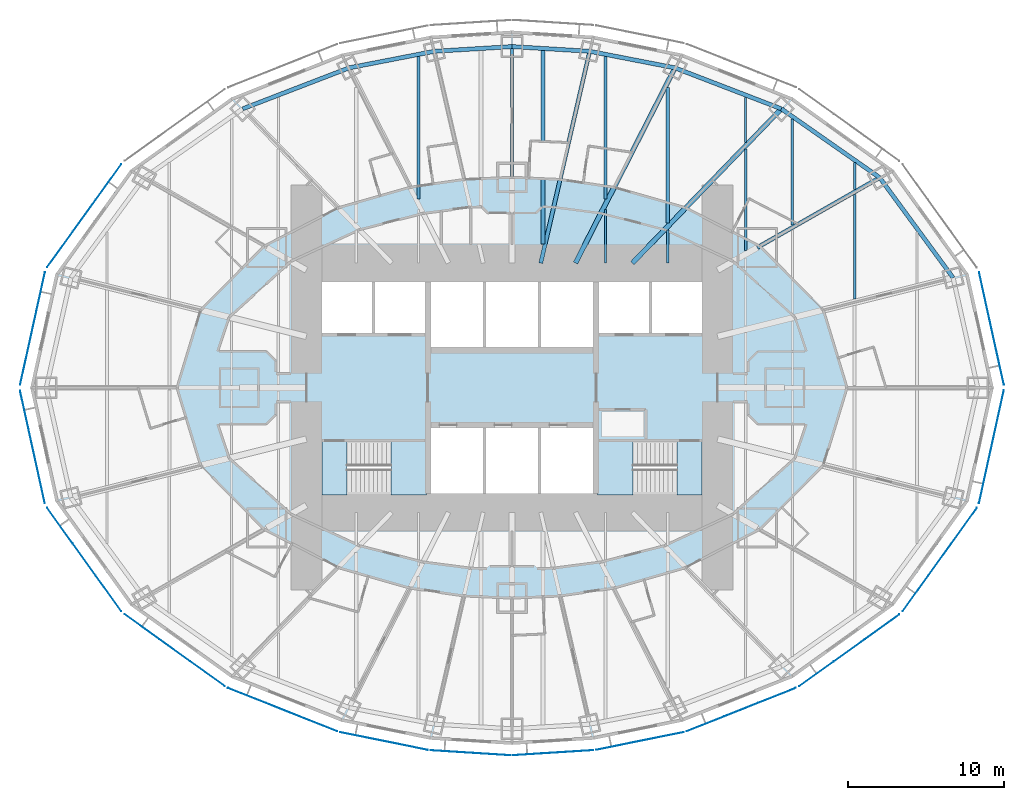
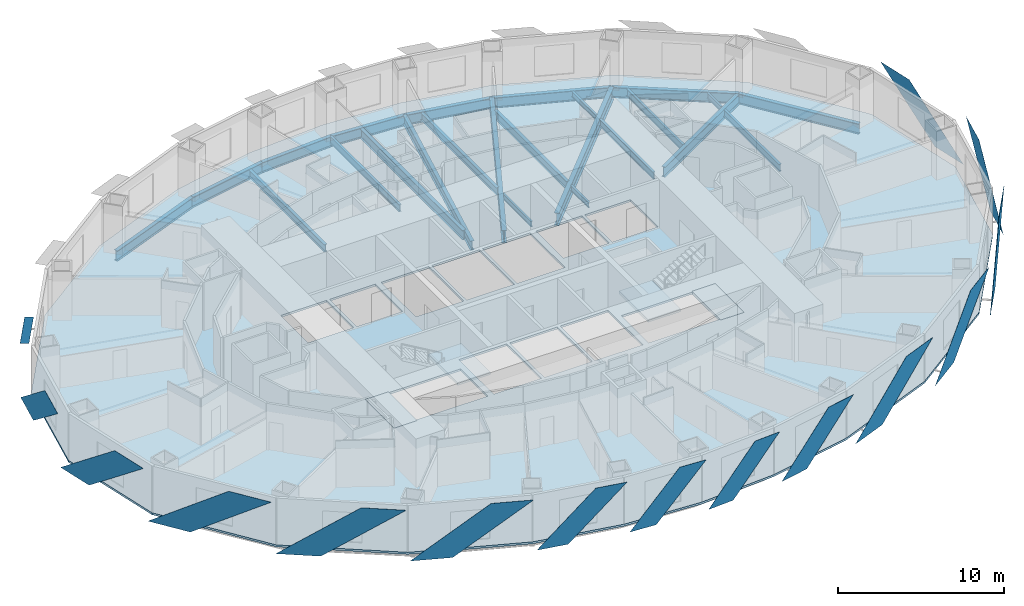
# One storey, part 3 of 15: 24 beams, 15 plates, 5 slabs, 2 elements without a shape of their own.
"""IFC4 building model written with IfcOpenShell, lengths in metres."""

import ifcopenshell
import ifcopenshell.guid

model = None  # the IFC model being written
_history = None  # IfcOwnerHistory: only IFC2X3 demands one
_inside = {}  # id of a spatial element -> (the spatial element, [elements in it])
_under = {}  # id of a project, library or spatial element -> (it, [spatial elements below it])
_declared = {}  # id of a project -> (the project, [libraries it declares])
_typed = {}  # id of a type object -> (the type object, [elements of that type])
_made_of = {}  # id of a material, layer set ... -> (it, [elements and type objects made of it])


def new_model(schema):
    """Start an empty IFC model of exactly this schema.

    Asked for "IFC4X3", IfcOpenShell would pick the latest addendum, in which some entities
    have other attributes; the version numbers below select the first issue.
    IFC2X3 requires an IfcOwnerHistory on every rooted entity: one is made here for all.
    """
    global model, _history
    if schema == "IFC4X3":
        model = ifcopenshell.file(schema_version=(4, 3, 0, 0))
    else:
        model = ifcopenshell.file(schema=schema)
    _inside.clear()
    _under.clear()
    _declared.clear()
    _typed.clear()
    _made_of.clear()
    _history = None
    if model.schema == "IFC2X3":
        org = make("IfcOrganization", Name="unknown")
        user = make(
            "IfcPersonAndOrganization",
            ThePerson=make("IfcPerson", FamilyName="unknown"),
            TheOrganization=org,
        )
        app = make(
            "IfcApplication",
            ApplicationDeveloper=org,
            Version="unknown",
            ApplicationFullName="unknown",
            ApplicationIdentifier="unknown",
        )
        _history = make(
            "IfcOwnerHistory",
            OwningUser=user,
            OwningApplication=app,
            ChangeAction="ADDED",
            CreationDate=0,
        )
    return model


def make(cls, **values):
    """One entity of the class cls with the attributes given. An attribute that is None is left unset."""
    return model.create_entity(
        cls, **{name: value for name, value in values.items() if value is not None}
    )


def rooted(cls, **values):
    """An entity with a GlobalId (a new one), such as an element, a storey or a relation."""
    return make(cls, GlobalId=ifcopenshell.guid.new(), OwnerHistory=_history, **values)


def si_unit(unit_type, name, prefix=None):
    """IfcSIUnit, for example si_unit("LENGTHUNIT", "METRE", prefix="MILLI")."""
    return make("IfcSIUnit", UnitType=unit_type, Prefix=prefix, Name=name)


def assignment(units):
    """IfcUnitAssignment: the units of a project."""
    return None if units is None else make("IfcUnitAssignment", Units=units)


def point(xyz):
    """IfcCartesianPoint."""
    return None if xyz is None else make("IfcCartesianPoint", Coordinates=xyz)


def direction(xyz):
    """IfcDirection."""
    return None if xyz is None else make("IfcDirection", DirectionRatios=xyz)


def frame(location, z_axis=None, x_axis=None):
    """IfcAxis2Placement3D, a coordinate frame: its origin and axes. An axis left out is left unset."""
    return make(
        "IfcAxis2Placement3D",
        Location=point(location),
        Axis=direction(z_axis),
        RefDirection=direction(x_axis),
    )


def frame_2d(location, x_axis=None):
    """IfcAxis2Placement2D, a coordinate frame in the plane: its origin and x axis."""
    return make(
        "IfcAxis2Placement2D", Location=point(location), RefDirection=direction(x_axis)
    )


def origin():
    """The frame at (0, 0, 0) with its axes left unset."""
    return frame((0.0, 0.0, 0.0))


def origin_2d():
    """The frame at (0, 0) in the plane with its x axis left unset."""
    return frame_2d((0.0, 0.0))


def place(relative_to, where):
    """IfcLocalPlacement: puts the frame where relative to a parent placement (None: the world)."""
    return make(
        "IfcLocalPlacement", PlacementRelTo=relative_to, RelativePlacement=where
    )


def context(
    kind, dimensions, precision=None, world=None, true_north=None, identifier=None
):
    """IfcGeometricRepresentationContext, for example the 3D "Model" context."""
    return make(
        "IfcGeometricRepresentationContext",
        ContextIdentifier=identifier,
        ContextType=kind,
        CoordinateSpaceDimension=dimensions,
        Precision=precision,
        WorldCoordinateSystem=world,
        TrueNorth=true_north,
    )


def subcontext(parent, identifier, kind, view, scale=None):
    """IfcGeometricRepresentationSubContext, for example "Body" below "Model"."""
    return make(
        "IfcGeometricRepresentationSubContext",
        ContextIdentifier=identifier,
        ContextType=kind,
        ParentContext=parent,
        TargetScale=scale,
        TargetView=view,
    )


def project(units=None, contexts=None):
    """IfcProject with its units and contexts."""
    return rooted(
        "IfcProject",
        Name="project",
        RepresentationContexts=contexts,
        UnitsInContext=assignment(units),
    )


def spatial(cls, under=None, at=None, **own):
    """A site, building, storey or space (cls), placed at a placement, below another one or the project."""
    s = rooted(cls, ObjectPlacement=at, **own)
    if under is not None:
        _under.setdefault(under.id(), (under, []))[1].append(s)
    return s


def polyline(points):
    """IfcPolyline through the points."""
    return make("IfcPolyline", Points=[point(p) for p in points])


def profile(cls, at=None, kind="AREA", **sizes):
    """A parametric profile (cls). Its sizes go by their IFC names, for example OverallWidth=200.0."""
    return make(cls, ProfileType=kind, Position=at, **sizes)


def i_section(**sizes):
    """IfcIShapeProfileDef."""
    return profile("IfcIShapeProfileDef", **sizes)


def outline(outer, holes=None, kind="AREA"):
    """IfcArbitraryClosedProfileDef: a profile drawn as a closed curve; with holes, ...WithVoids."""
    if holes is None:
        return make("IfcArbitraryClosedProfileDef", ProfileType=kind, OuterCurve=outer)
    return make(
        "IfcArbitraryProfileDefWithVoids",
        ProfileType=kind,
        OuterCurve=outer,
        InnerCurves=holes,
    )


def extrude(swept, where, along, depth):
    """IfcExtrudedAreaSolid: the profile swept, set in the frame where, extruded along a direction by depth."""
    return make(
        "IfcExtrudedAreaSolid",
        SweptArea=swept,
        Position=where,
        ExtrudedDirection=direction(along),
        Depth=depth,
    )


def shape(context_of_items, identifier, shape_type, items):
    """IfcShapeRepresentation: the items that make up one representation, for example the "Body"."""
    return make(
        "IfcShapeRepresentation",
        ContextOfItems=context_of_items,
        RepresentationIdentifier=identifier,
        RepresentationType=shape_type,
        Items=items,
    )


def material(Name=None, Category=None):
    """IfcMaterial."""
    return make("IfcMaterial", Name=Name, Category=Category)


def layer(
    of_material, thickness, ventilated=None, Name=None, Category=None, Priority=None
):
    """IfcMaterialLayer: one layer of a wall or slab, of a material (None: an air gap)."""
    return make(
        "IfcMaterialLayer",
        Material=of_material,
        LayerThickness=thickness,
        IsVentilated=ventilated,
        Name=Name,
        Category=Category,
        Priority=Priority,
    )


def layer_set(layers, Name=None):
    """IfcMaterialLayerSet."""
    return make("IfcMaterialLayerSet", MaterialLayers=layers, LayerSetName=Name)


def material_profile(
    of_material, cross_section, Name=None, Category=None, Priority=None
):
    """IfcMaterialProfile: a cross section and its material."""
    return make(
        "IfcMaterialProfile",
        Name=Name,
        Material=of_material,
        Profile=cross_section,
        Priority=Priority,
        Category=Category,
    )


def profile_set(profiles, Name=None, composite=None):
    """IfcMaterialProfileSet."""
    return make(
        "IfcMaterialProfileSet",
        Name=Name,
        MaterialProfiles=profiles,
        CompositeProfile=composite,
    )


def made_of(thing, what):
    """Note that an element or type object is made of a material, layer set ...; save() writes the relation."""
    if what is not None:
        _made_of.setdefault(what.id(), (what, []))[1].append(thing)
    return thing


def type_object(cls, material=None, **own):
    """A type object (cls), such as IfcWallType, which elements share."""
    return made_of(rooted(cls, **own), material)


def element(
    cls,
    number,
    at=None,
    inside=None,
    cuts=None,
    type_object=None,
    material=None,
    context=None,
    identifier="Body",
    shape_type=None,
    held_by="IfcProductDefinitionShape",
    body=None,
    shapes=None,
    **own,
):
    """One element of the class cls, such as IfcWall. Its Tag is "e" and its number.

    at: its placement. inside: the storey or other place that contains it. cuts: it is an
    opening in that element (IfcRelVoidsElement). A single representation is given by context,
    identifier, shape_type and body (its items); several are given by shapes. held_by: the class
    of the entity that holds the representations. save() writes the other relations.
    """
    e = rooted(cls, Tag="e%d" % number, ObjectPlacement=at, **own)
    if body is not None:
        shapes = [shape(context, identifier, shape_type, body)]
    if shapes is not None:
        e.Representation = make(held_by, Representations=shapes)
    if inside is not None:
        _inside.setdefault(inside.id(), (inside, []))[1].append(e)
    if cuts is not None:
        rooted(
            "IfcRelVoidsElement", RelatingBuildingElement=cuts, RelatedOpeningElement=e
        )
    if type_object is not None:
        _typed.setdefault(type_object.id(), (type_object, []))[1].append(e)
    return made_of(e, material)


def aggregate(whole, parts):
    """IfcRelAggregates: a whole, such as a stair, and the parts it consists of."""
    return rooted("IfcRelAggregates", RelatingObject=whole, RelatedObjects=parts)


def save(model, path):
    """Write the relations noted so far, then the file.

    IfcRelAggregates (storeys below a building ...), IfcRelContainedInSpatialStructure (elements
    in a storey), IfcRelDefinesByType, IfcRelAssociatesMaterial and IfcRelDeclares: one each for
    every whole, place, type object, material and project.
    """
    for whole, parts in _under.values():
        aggregate(whole, parts)
    for where, things in _inside.values():
        rooted(
            "IfcRelContainedInSpatialStructure",
            RelatedElements=things,
            RelatingStructure=where,
        )
    for kind, things in _typed.values():
        rooted("IfcRelDefinesByType", RelatedObjects=things, RelatingType=kind)
    for what, things in _made_of.values():
        rooted("IfcRelAssociatesMaterial", RelatedObjects=things, RelatingMaterial=what)
    for by, libraries in _declared.values():
        rooted("IfcRelDeclares", RelatingContext=by, RelatedDefinitions=libraries)
    model.write(path)


model = new_model("IFC4")

# Units and contexts
model_context = context("Model", 3, precision=1e-05, world=origin(), true_north=direction((0.0, 1.0)))
body_context = subcontext(model_context, "Body", "Model", "MODEL_VIEW")
ifc_project = project(units=[si_unit("LENGTHUNIT", "METRE"), si_unit("AREAUNIT", "SQUARE_METRE"), si_unit("VOLUMEUNIT", "CUBIC_METRE"), si_unit("PLANEANGLEUNIT", "RADIAN"), si_unit("MASSUNIT", "GRAM", prefix="KILO")], contexts=[model_context])

# Site, building, storey
site_placement = place(None, origin())
site = spatial("IfcSite", under=ifc_project, at=site_placement, CompositionType="ELEMENT")
building_placement = place(site_placement, origin())
building = spatial("IfcBuilding", under=site, at=building_placement, Name="Lantaw Convention Tower", CompositionType="ELEMENT")
storey_placement = place(building_placement, frame((0.0, 0.0, 47.800048828125)))
storey = spatial("IfcBuildingStorey", under=building, at=storey_placement, Name="L09", CompositionType="ELEMENT", Elevation=47.800048828125)

# Beams
ifc_material_1 = material(Name="Steel ASTM A992", Category="steel")
ifc_material_profile_1 = material_profile(ifc_material_1, i_section(OverallWidth=0.2666015625, OverallDepth=0.76953125, WebThickness=0.015625, FlangeThickness=0.025390625, FilletRadius=0.0126953125, at=origin_2d()), Name="W30X132")
ifc_profile_set_1 = profile_set([ifc_material_profile_1], Name="Steel ASTM A992")
beam_type_1 = type_object("IfcBeamType", Name="Beam E W30X132", PredefinedType="SPANDREL", material=ifc_profile_set_1)
beam_1_placement = place(storey_placement, frame((28.31787109375, 7.060302734375, -0.534912109375), z_axis=(-0.591270709086, 0.806473154281, 0.0), x_axis=(-0.806473154281, -0.591270709086, 0.0)))
element("IfcBeam", 1, at=beam_1_placement, inside=storey, type_object=beam_type_1, Name="Edge beam 2", PredefinedType="SPANDREL", context=body_context, shape_type="SweptSolid", body=[
    extrude(i_section(OverallWidth=0.2666015625, OverallDepth=0.76953125, WebThickness=0.015625, FlangeThickness=0.025390625, FilletRadius=0.0126953125, at=origin_2d()), origin(), (0.0, 0.0, 1.0), 7.970703125),
])
beam_2_placement = place(storey_placement, frame((23.60498046875, 13.488525390625, -0.534912109375), z_axis=(-0.81942686407, 0.57318375277, 0.0), x_axis=(-0.57318375277, -0.81942686407, 0.0)))
element("IfcBeam", 2, at=beam_2_placement, inside=storey, type_object=beam_type_1, Name="Edge beam 3", PredefinedType="SPANDREL", context=body_context, shape_type="SweptSolid", body=[
    extrude(i_section(OverallWidth=0.2666015625, OverallDepth=0.76953125, WebThickness=0.015625, FlangeThickness=0.025390625, FilletRadius=0.0126953125, at=origin_2d()), origin(), (0.0, 0.0, 1.0), 7.70556640625),
])
beam_3_placement = place(storey_placement, frame((17.290771484375, 17.9052734375, -0.534912109375), z_axis=(-0.933232900641, 0.359271976588, 0.0), x_axis=(-0.359271976588, -0.933232900641, 0.0)))
element("IfcBeam", 3, at=beam_3_placement, inside=storey, type_object=beam_type_1, Name="Edge beam 4", PredefinedType="SPANDREL", context=body_context, shape_type="SweptSolid", body=[
    extrude(i_section(OverallWidth=0.2666015625, OverallDepth=0.76953125, WebThickness=0.015625, FlangeThickness=0.025390625, FilletRadius=0.0126953125, at=origin_2d()), origin(), (0.0, 0.0, 1.0), 7.316650390625),
])
beam_4_placement = place(storey_placement, frame((10.462646484375, 20.533935546875, -0.534912109375), z_axis=(-0.981636565323, 0.190760723474, 0.0), x_axis=(-0.190760723474, -0.981636565323, 0.0)))
element("IfcBeam", 4, at=beam_4_placement, inside=storey, type_object=beam_type_1, Name="Edge beam 5", PredefinedType="SPANDREL", context=body_context, shape_type="SweptSolid", body=[
    extrude(i_section(OverallWidth=0.2666015625, OverallDepth=0.76953125, WebThickness=0.015625, FlangeThickness=0.025390625, FilletRadius=0.0126953125, at=origin_2d()), origin(), (0.0, 0.0, 1.0), 5.578857421875),
])
for number, where, z_axis, x_axis, name in (
    (5, (4.986328125, 21.59814453125, -0.534912109375), (-0.998173858406, 0.060406526096, 0.0), (-0.060406526096, -0.998173858406, 0.0), "Edge beam 6"),
    (6, (0.0, 21.89990234375, -0.534912109375), (-0.998173858406, -0.060406526096, 0.0), (0.060406526096, -0.998173858406, 0.0), "Edge beam 7"),
):
    element("IfcBeam", number, at=place(storey_placement, frame(where, z_axis=z_axis, x_axis=x_axis)), inside=storey, type_object=beam_type_1, Name=name, PredefinedType="SPANDREL", context=body_context, shape_type="SweptSolid", body=[
        extrude(i_section(OverallWidth=0.2666015625, OverallDepth=0.76953125, WebThickness=0.015625, FlangeThickness=0.025390625, FilletRadius=0.0126953125, at=origin_2d()), origin(), (0.0, 0.0, 1.0), 4.995361328125),
    ])
beam_5_placement = place(storey_placement, frame((-4.986328125, 21.59814453125, -0.534912109375), z_axis=(-0.981636565323, -0.190760723474, 0.0), x_axis=(0.190760723474, -0.981636565323, 0.0)))
element("IfcBeam", 7, at=beam_5_placement, inside=storey, type_object=beam_type_1, Name="Edge beam 8", PredefinedType="SPANDREL", context=body_context, shape_type="SweptSolid", body=[
    extrude(i_section(OverallWidth=0.2666015625, OverallDepth=0.76953125, WebThickness=0.015625, FlangeThickness=0.025390625, FilletRadius=0.0126953125, at=origin_2d()), origin(), (0.0, 0.0, 1.0), 5.578857421875),
])
beam_6_placement = place(storey_placement, frame((-10.462646484375, 20.533935546875, -0.534912109375), z_axis=(-0.933232900641, -0.359271976588, 0.0), x_axis=(0.359271976588, -0.933232900641, 0.0)))
element("IfcBeam", 8, at=beam_6_placement, inside=storey, type_object=beam_type_1, Name="Edge beam 9", PredefinedType="SPANDREL", context=body_context, shape_type="SweptSolid", body=[
    extrude(i_section(OverallWidth=0.2666015625, OverallDepth=0.76953125, WebThickness=0.015625, FlangeThickness=0.025390625, FilletRadius=0.0126953125, at=origin_2d()), origin(), (0.0, 0.0, 1.0), 7.316650390625),
])
ifc_material_profile_2 = material_profile(ifc_material_1, i_section(OverallWidth=0.1650390625, OverallDepth=0.52587890625, WebThickness=0.0087890625, FlangeThickness=0.011474609375, FilletRadius=0.0126953125, at=origin_2d()), Name="W21X44")
ifc_profile_set_2 = profile_set([ifc_material_profile_2], Name="Steel ASTM A992")
beam_type_2 = type_object("IfcBeamType", Name="Beam G W21X44", PredefinedType="BEAM", material=ifc_profile_set_2)
beam_7_placement = place(storey_placement, frame((0.0, 13.5, -0.412841796875), z_axis=(0.0, 1.0, 0.0), x_axis=(-1.0, 0.0, 0.0)))
element("IfcBeam", 9, at=beam_7_placement, inside=storey, type_object=beam_type_2, Name="Floor girder on ray 7", PredefinedType="BEAM", context=body_context, shape_type="SweptSolid", body=[
    extrude(i_section(OverallWidth=0.1650390625, OverallDepth=0.52587890625, WebThickness=0.0087890625, FlangeThickness=0.011474609375, FilletRadius=0.0126953125, at=origin_2d()), origin(), (0.0, 0.0, 1.0), 8.39990234375),
])
ifc_material_profile_3 = material_profile(ifc_material_1, i_section(OverallWidth=0.25390625, OverallDepth=0.683349609375, WebThickness=0.012451171875, FlangeThickness=0.01904296875, FilletRadius=0.01513671875, at=origin_2d()), Name="W27X94")
ifc_profile_set_3 = profile_set([ifc_material_profile_3], Name="Steel ASTM A992")
beam_type_3 = type_object("IfcBeamType", Name="Beam G W27X94", PredefinedType="BEAM", material=ifc_profile_set_3)
beam_8_placement = place(storey_placement, frame((1.846923828125, 8.0, -0.49169921875), z_axis=(0.224952773175, 0.97436966796, 0.0), x_axis=(-0.97436966796, 0.224952773175, 0.0)))
element("IfcBeam", 10, at=beam_8_placement, inside=storey, type_object=beam_type_3, Name="Floor girder on ray 6", PredefinedType="BEAM", context=body_context, shape_type="SweptSolid", body=[
    extrude(i_section(OverallWidth=0.25390625, OverallDepth=0.683349609375, WebThickness=0.012451171875, FlangeThickness=0.01904296875, FilletRadius=0.01513671875, at=origin_2d()), origin(), (0.0, 0.0, 1.0), 13.955810546875),
])
ifc_material_profile_4 = material_profile(ifc_material_1, i_section(OverallWidth=0.2666015625, OverallDepth=0.7568359375, WebThickness=0.013916015625, FlangeThickness=0.019287109375, FilletRadius=0.0126953125, at=origin_2d()), Name="W30X108")
ifc_profile_set_4 = profile_set([ifc_material_profile_4], Name="Steel ASTM A992")
beam_type_4 = type_object("IfcBeamType", Name="Beam G W30X108", PredefinedType="BEAM", material=ifc_profile_set_4)
beam_9_placement = place(storey_placement, frame((15.75, 9.0, -0.528564453125), z_axis=(0.868244802791, 0.496136032179, 0.0), x_axis=(-0.496136032179, 0.868244802791, 0.0)))
element("IfcBeam", 11, at=beam_9_placement, inside=storey, type_object=beam_type_4, Name="Floor girder on ray 3", PredefinedType="BEAM", context=body_context, shape_type="SweptSolid", body=[
    extrude(i_section(OverallWidth=0.2666015625, OverallDepth=0.7568359375, WebThickness=0.013916015625, FlangeThickness=0.019287109375, FilletRadius=0.0126953125, at=origin_2d()), origin(), (0.0, 0.0, 1.0), 9.046875),
])
ifc_material_profile_5 = material_profile(ifc_material_1, i_section(OverallWidth=0.307373046875, OverallDepth=0.922119140625, WebThickness=0.018310546875, FlangeThickness=0.030029296875, FilletRadius=0.0126953125, at=origin_2d()), Name="W36X182")
ifc_profile_set_5 = profile_set([ifc_material_profile_5], Name="Steel ASTM A992")
beam_type_5 = type_object("IfcBeamType", Name="Beam G W36X182", PredefinedType="BEAM", material=ifc_profile_set_5)
beam_10_placement = place(storey_placement, frame((7.7255859375, 8.0, -0.611083984375), z_axis=(0.694649884291, 0.719347995239, 0.0), x_axis=(-0.719347995239, 0.694649884291, 0.0)))
element("IfcBeam", 12, at=beam_10_placement, inside=storey, type_object=beam_type_5, Name="Floor girder on ray 4", PredefinedType="BEAM", context=body_context, shape_type="SweptSolid", body=[
    extrude(i_section(OverallWidth=0.307373046875, OverallDepth=0.922119140625, WebThickness=0.018310546875, FlangeThickness=0.030029296875, FilletRadius=0.0126953125, at=origin_2d()), origin(), (0.0, 0.0, 1.0), 13.769775390625),
])
beam_11_placement = place(storey_placement, frame((4.076171875, 8.0, -0.611083984375), z_axis=(0.453997016122, 0.891003203896, 0.0), x_axis=(-0.891003203896, 0.453997016122, 0.0)))
element("IfcBeam", 13, at=beam_11_placement, inside=storey, type_object=beam_type_5, Name="Floor girder on ray 5", PredefinedType="BEAM", context=body_context, shape_type="SweptSolid", body=[
    extrude(i_section(OverallWidth=0.307373046875, OverallDepth=0.922119140625, WebThickness=0.018310546875, FlangeThickness=0.030029296875, FilletRadius=0.0126953125, at=origin_2d()), origin(), (0.0, 0.0, 1.0), 14.067138671875),
])
ifc_material_profile_6 = material_profile(ifc_material_1, i_section(OverallWidth=0.140380859375, OverallDepth=0.40380859375, WebThickness=0.007080078125, FlangeThickness=0.01123046875, FilletRadius=0.01025390625, at=origin_2d()), Name="W16X31")
ifc_profile_set_6 = profile_set([ifc_material_profile_6], Name="Steel ASTM A992")
beam_type_6 = type_object("IfcBeamType", Name="Beam J W16X31", PredefinedType="JOIST", material=ifc_profile_set_6)
beam_12_placement = place(storey_placement, frame((6.0, 8.0, -0.35205078125), z_axis=(0.0, 1.0, 0.0), x_axis=(-1.0, 0.0, 0.0)))
element("IfcBeam", 14, at=beam_12_placement, inside=storey, type_object=beam_type_6, Name="Floor joist", PredefinedType="JOIST", context=body_context, shape_type="SweptSolid", body=[
    extrude(i_section(OverallWidth=0.140380859375, OverallDepth=0.40380859375, WebThickness=0.007080078125, FlangeThickness=0.01123046875, FilletRadius=0.01025390625, at=origin_2d()), origin(), (0.0, 0.0, 1.0), 3.437255859375),
])
beam_13_placement = place(storey_placement, frame((10.0, 8.0, -0.35205078125), z_axis=(0.0, 1.0, 0.0), x_axis=(-1.0, 0.0, 0.0)))
element("IfcBeam", 15, at=beam_13_placement, inside=storey, type_object=beam_type_6, Name="Floor joist", PredefinedType="JOIST", context=body_context, shape_type="SweptSolid", body=[
    extrude(i_section(OverallWidth=0.140380859375, OverallDepth=0.40380859375, WebThickness=0.007080078125, FlangeThickness=0.01123046875, FilletRadius=0.01025390625, at=origin_2d()), origin(), (0.0, 0.0, 1.0), 2.134033203125),
])
beam_14_placement = place(storey_placement, frame((15.0, 15.754150390625, -0.35205078125), z_axis=(0.0, 1.0, 0.0), x_axis=(-1.0, 0.0, 0.0)))
element("IfcBeam", 16, at=beam_14_placement, inside=storey, type_object=beam_type_6, Name="Floor joist", PredefinedType="JOIST", context=body_context, shape_type="SweptSolid", body=[
    extrude(i_section(OverallWidth=0.140380859375, OverallDepth=0.40380859375, WebThickness=0.007080078125, FlangeThickness=0.01123046875, FilletRadius=0.01025390625, at=origin_2d()), origin(), (0.0, 0.0, 1.0), 2.89013671875),
])
beam_15_placement = place(storey_placement, frame((22.0, 12.72509765625, -0.35205078125), z_axis=(0.0, 1.0, 0.0), x_axis=(-1.0, 0.0, 0.0)))
element("IfcBeam", 17, at=beam_15_placement, inside=storey, type_object=beam_type_6, Name="Floor joist", PredefinedType="JOIST", context=body_context, shape_type="SweptSolid", body=[
    extrude(i_section(OverallWidth=0.140380859375, OverallDepth=0.40380859375, WebThickness=0.007080078125, FlangeThickness=0.01123046875, FilletRadius=0.01025390625, at=origin_2d()), origin(), (0.0, 0.0, 1.0), 1.723388671875),
])
ifc_material_profile_7 = material_profile(ifc_material_1, i_section(OverallWidth=0.1650390625, OverallDepth=0.52587890625, WebThickness=0.0087890625, FlangeThickness=0.011474609375, FilletRadius=0.0126953125, at=origin_2d()), Name="W21X44")
ifc_profile_set_7 = profile_set([ifc_material_profile_7], Name="Steel ASTM A992")
beam_type_7 = type_object("IfcBeamType", Name="Beam J W21X44", PredefinedType="JOIST", material=ifc_profile_set_7)
beam_16_placement = place(storey_placement, frame((15.0, 8.803955078125, -0.412841796875), z_axis=(0.0, 1.0, 0.0), x_axis=(-1.0, 0.0, 0.0)))
element("IfcBeam", 18, at=beam_16_placement, inside=storey, type_object=beam_type_7, Name="Floor joist", PredefinedType="JOIST", context=body_context, shape_type="SweptSolid", body=[
    extrude(i_section(OverallWidth=0.1650390625, OverallDepth=0.52587890625, WebThickness=0.0087890625, FlangeThickness=0.011474609375, FilletRadius=0.0126953125, at=origin_2d()), origin(), (0.0, 0.0, 1.0), 6.5078125),
])
beam_17_placement = place(storey_placement, frame((18.0, 10.439208984375, -0.412841796875), z_axis=(0.0, 1.0, 0.0), x_axis=(-1.0, 0.0, 0.0)))
element("IfcBeam", 19, at=beam_17_placement, inside=storey, type_object=beam_type_7, Name="Floor joist", PredefinedType="JOIST", context=body_context, shape_type="SweptSolid", body=[
    extrude(i_section(OverallWidth=0.1650390625, OverallDepth=0.52587890625, WebThickness=0.0087890625, FlangeThickness=0.011474609375, FilletRadius=0.0126953125, at=origin_2d()), origin(), (0.0, 0.0, 1.0), 6.80712890625),
])
beam_18_placement = place(storey_placement, frame((22.0, 5.693359375, -0.412841796875), z_axis=(0.0, 1.0, 0.0), x_axis=(-1.0, 0.0, 0.0)))
element("IfcBeam", 20, at=beam_18_placement, inside=storey, type_object=beam_type_7, Name="Floor joist", PredefinedType="JOIST", context=body_context, shape_type="SweptSolid", body=[
    extrude(i_section(OverallWidth=0.1650390625, OverallDepth=0.52587890625, WebThickness=0.0087890625, FlangeThickness=0.011474609375, FilletRadius=0.0126953125, at=origin_2d()), origin(), (0.0, 0.0, 1.0), 6.724609375),
])
ifc_material_profile_8 = material_profile(ifc_material_1, i_section(OverallWidth=0.2099609375, OverallDepth=0.535888671875, WebThickness=0.010986328125, FlangeThickness=0.017333984375, FilletRadius=0.012939453125, at=origin_2d()), Name="W21X68")
ifc_profile_set_8 = profile_set([ifc_material_profile_8], Name="Steel ASTM A992")
beam_type_8 = type_object("IfcBeamType", Name="Beam J W21X68", PredefinedType="JOIST", material=ifc_profile_set_8)
for number, where, z_axis, x_axis, name in (
    (21, (-6.0, 12.1142578125, -0.41796875), (0.0, 1.0, 0.0), (-1.0, 0.0, 0.0), "Floor joist"),
    (22, (6.0, 12.1142578125, -0.41796875), (0.0, 1.0, 0.0), (-1.0, 0.0, 0.0), "Floor joist"),
):
    element("IfcBeam", number, at=place(storey_placement, frame(where, z_axis=z_axis, x_axis=x_axis)), inside=storey, type_object=beam_type_8, Name=name, PredefinedType="JOIST", context=body_context, shape_type="SweptSolid", body=[
        extrude(i_section(OverallWidth=0.2099609375, OverallDepth=0.535888671875, WebThickness=0.010986328125, FlangeThickness=0.017333984375, FilletRadius=0.012939453125, at=origin_2d()), origin(), (0.0, 0.0, 1.0), 9.15087890625),
    ])
ifc_material_profile_9 = material_profile(ifc_material_1, i_section(OverallWidth=0.227783203125, OverallDepth=0.60205078125, WebThickness=0.010498046875, FlangeThickness=0.014892578125, FilletRadius=0.012939453125, at=origin_2d()), Name="W24X68")
ifc_profile_set_9 = profile_set([ifc_material_profile_9], Name="Steel ASTM A992")
beam_type_9 = type_object("IfcBeamType", Name="Beam J W24X68", PredefinedType="JOIST", material=ifc_profile_set_9)
beam_19_placement = place(storey_placement, frame((10.0, 10.576416015625, -0.450927734375), z_axis=(0.0, 1.0, 0.0), x_axis=(-1.0, 0.0, 0.0)))
element("IfcBeam", 23, at=beam_19_placement, inside=storey, type_object=beam_type_9, Name="Floor joist", PredefinedType="JOIST", context=body_context, shape_type="SweptSolid", body=[
    extrude(i_section(OverallWidth=0.227783203125, OverallDepth=0.60205078125, WebThickness=0.010498046875, FlangeThickness=0.014892578125, FilletRadius=0.012939453125, at=origin_2d()), origin(), (0.0, 0.0, 1.0), 8.711181640625),
])
ifc_material_profile_10 = material_profile(ifc_material_1, i_section(OverallWidth=0.25390625, OverallDepth=0.700927734375, WebThickness=0.015380859375, FlangeThickness=0.02783203125, FilletRadius=0.01513671875, at=origin_2d()), Name="W27X129")
ifc_profile_set_10 = profile_set([ifc_material_profile_10], Name="Steel ASTM A992")
beam_type_10 = type_object("IfcBeamType", Name="Beam J W27X129", PredefinedType="JOIST", material=ifc_profile_set_10)
beam_20_placement = place(storey_placement, frame((2.0, 9.2275390625, -0.50048828125), z_axis=(0.0, 1.0, 0.0), x_axis=(-1.0, 0.0, 0.0)))
element("IfcBeam", 24, at=beam_20_placement, inside=storey, type_object=beam_type_10, Name="Floor joist", PredefinedType="JOIST", context=body_context, shape_type="SweptSolid", body=[
    extrude(i_section(OverallWidth=0.25390625, OverallDepth=0.700927734375, WebThickness=0.015380859375, FlangeThickness=0.02783203125, FilletRadius=0.01513671875, at=origin_2d()), origin(), (0.0, 0.0, 1.0), 12.417724609375),
])

# Slab
ifc_material_2 = material(Name="Concrete C35/45", Category="concrete")
ifc_layer_1 = layer(ifc_material_2, 0.14990234375)
ifc_layer_set_1 = layer_set([ifc_layer_1], Name="Floor slab 150")
slab_type_1 = type_object("IfcSlabType", Name="Floor slab 150", PredefinedType="FLOOR", material=ifc_layer_set_1)
slab_1_placement = place(storey_placement, frame((0.0, 0.0, -0.150146484375)))
element("IfcSlab", 25, at=slab_1_placement, inside=storey, type_object=slab_type_1, Name="L09 floor slab", PredefinedType="FLOOR", context=body_context, shape_type="SweptSolid", body=[
    extrude(outline(polyline([(29.315185546875, -7.29541015625), (30.923095703125, 0.0), (29.315185546875, 7.29541015625), (24.50634765625, 13.98046875), (18.018798828125, 18.630126953125), (10.9404296875, 21.44189453125), (5.223876953125, 22.59521484375), (0.0, 22.9248046875), (-5.223876953125, 22.59521484375), (-10.9404296875, 21.44189453125), (-18.018798828125, 18.630126953125), (-24.50634765625, 13.98046875), (-29.315185546875, 7.29541015625), (-30.923095703125, 0.0), (-29.315185546875, -7.29541015625), (-24.50634765625, -13.98046875), (-18.018798828125, -18.630126953125), (-10.9404296875, -21.44189453125), (-5.223876953125, -22.59521484375), (0.0, -22.9248046875), (5.223876953125, -22.59521484375), (10.9404296875, -21.44189453125), (18.018798828125, -18.630126953125), (24.50634765625, -13.98046875), (29.315185546875, -7.29541015625)]), holes=[polyline([(-5.60009765625, -3.5), (-12.199951171875, -3.5), (-12.199951171875, -6.800048828125), (-5.60009765625, -6.800048828125), (-5.60009765625, -3.5)]), polyline([(-1.86669921875, -6.800048828125), (-1.86669921875, -2.60009765625), (-5.199951171875, -2.60009765625), (-5.199951171875, -6.800048828125), (-1.86669921875, -6.800048828125)]), polyline([(-1.86669921875, 2.60009765625), (-1.86669921875, 6.800048828125), (-5.199951171875, 6.800048828125), (-5.199951171875, 2.60009765625), (-1.86669921875, 2.60009765625)]), polyline([(1.666748046875, 6.800048828125), (-1.666748046875, 6.800048828125), (-1.666748046875, 2.60009765625), (1.666748046875, 2.60009765625), (1.666748046875, 6.800048828125)]), polyline([(-9.0, 3.5), (-9.0, 6.800048828125), (-12.199951171875, 6.800048828125), (-12.199951171875, 3.5), (-9.0, 3.5)]), polyline([(-5.60009765625, 3.5), (-5.60009765625, 6.800048828125), (-8.800048828125, 6.800048828125), (-8.800048828125, 3.5), (-5.60009765625, 3.5)]), polyline([(12.199951171875, -3.5), (5.60009765625, -3.5), (5.60009765625, -6.800048828125), (12.199951171875, -6.800048828125), (12.199951171875, -3.5)]), polyline([(1.666748046875, -6.800048828125), (1.666748046875, -2.60009765625), (-1.666748046875, -2.60009765625), (-1.666748046875, -6.800048828125), (1.666748046875, -6.800048828125)]), polyline([(5.199951171875, -6.800048828125), (5.199951171875, -2.60009765625), (1.86669921875, -2.60009765625), (1.86669921875, -6.800048828125), (5.199951171875, -6.800048828125)]), polyline([(5.199951171875, 6.800048828125), (1.86669921875, 6.800048828125), (1.86669921875, 2.60009765625), (5.199951171875, 2.60009765625), (5.199951171875, 6.800048828125)]), polyline([(8.800048828125, 3.5), (8.800048828125, 6.800048828125), (5.60009765625, 6.800048828125), (5.60009765625, 3.5), (8.800048828125, 3.5)]), polyline([(12.199951171875, 3.5), (12.199951171875, 6.800048828125), (9.0, 6.800048828125), (9.0, 3.5), (12.199951171875, 3.5)])]), origin(), (0.0, 0.0, 1.0), 0.150146484375),
])

# Plates
ifc_material_3 = material(Name="Perforated aluminium sheet, pale silver finish", Category="aluminium")
ifc_layer_2 = layer(ifc_material_3, 0.006103515625)
ifc_layer_set_2 = layer_set([ifc_layer_2], Name="Perforated aluminium solar SCREEN panel")
plate_type = type_object("IfcPlateType", Name="Perforated aluminium solar SCREEN panel", PredefinedType="SHEET", material=ifc_layer_set_2)
plate_1_placement = place(storey_placement, frame((31.5810546875, 0.17919921875, -0.175048828125), z_axis=(-0.97655943558, -0.215247921852, 3.0295023e-05), x_axis=(-0.215247921951, 0.976559436028, 3.12e-10)))
element("IfcPlate", 26, at=plate_1_placement, inside=storey, type_object=plate_type, Name="Solar SCREEN panel", PredefinedType="SHEET", context=body_context, shape_type="SweptSolid", body=[
    extrude(outline(polyline([(0.0, 0.0), (2.551002212329069, 3.3881317890172014e-21), (7.402498252985418, -3.739990233781388), (4.851734458487411, -3.7399902353733405), (0.0, 0.0)])), origin(), (0.0, 0.0, -1.0), 0.006103515625),
])
plate_2_placement = place(storey_placement, frame((-25.0810546875, 14.34765625, -0.175048828125), z_axis=(0.811791382613, -0.583947558463, 9.019268e-06), x_axis=(-0.583947558486, -0.811791382646, 0.0)))
element("IfcPlate", 27, at=plate_2_placement, inside=storey, type_object=plate_type, Name="Solar SCREEN panel", PredefinedType="SHEET", context=body_context, shape_type="SweptSolid", body=[
    extrude(outline(polyline([(0.0, 0.0), (2.809541672291133, 0.0), (8.163093158837512, -3.739990234527119), (5.353551486546379, -3.739990234527119), (0.0, 0.0)])), origin(), (0.0, 0.0, -1.0), 0.006103515625),
])
plate_3_placement = place(storey_placement, frame((-29.98779296875, 7.408203125, -0.175048828125), z_axis=(-0.97655943558, 0.215247921852, 3.0295023e-05), x_axis=(-0.215247921951, -0.976559436028, -3.12e-10)))
element("IfcPlate", 28, at=plate_3_placement, inside=storey, type_object=plate_type, Name="Solar SCREEN panel", PredefinedType="SHEET", context=body_context, shape_type="SweptSolid", body=[
    extrude(outline(polyline([(0.0, 0.0), (2.5507637944980077, 6.776263578034403e-21), (7.402498250651261, 3.7399902384013473), (4.851496038322192, 3.739990236809246), (0.0, 0.0)])), origin(), (0.0, 0.0, -1.0), 0.006103515625),
])
plate_4_placement = place(storey_placement, frame((-31.5810546875, -0.17919921875, -0.175048828125), z_axis=(0.97655943558, 0.215247921852, 3.0295023e-05), x_axis=(0.215247921951, -0.976559436028, 3.12e-10)))
element("IfcPlate", 29, at=plate_4_placement, inside=storey, type_object=plate_type, Name="Solar SCREEN panel", PredefinedType="SHEET", context=body_context, shape_type="SweptSolid", body=[
    extrude(outline(polyline([(0.0, 0.0), (2.551002212329069, 3.3881317890172014e-21), (7.402498252985418, -3.739990233781388), (4.851734458487411, -3.7399902353733405), (0.0, 0.0)])), origin(), (0.0, 0.0, -1.0), 0.006103515625),
])
plate_5_placement = place(storey_placement, frame((-29.847900390625, -7.720947265625, -0.175048828125), z_axis=(-0.811791382613, -0.583947558463, 9.019268e-06), x_axis=(0.583947558486, -0.811791382646, 0.0)))
element("IfcPlate", 30, at=plate_5_placement, inside=storey, type_object=plate_type, Name="Solar SCREEN panel", PredefinedType="SHEET", context=body_context, shape_type="SweptSolid", body=[
    extrude(outline(polyline([(0.0, 0.0), (2.809541672291133, 0.0), (8.163093158837512, 3.739990234527119), (5.353551486546379, 3.739990234527119), (0.0, 0.0)])), origin(), (0.0, 0.0, -1.0), 0.006103515625),
])
plate_6_placement = place(storey_placement, frame((-24.872314453125, -14.555908203125, -0.175048828125), z_axis=(-0.582561421998, -0.812786681331, 1.5819417e-05), x_axis=(0.812786681433, -0.582561422071, 0.0)))
element("IfcPlate", 31, at=plate_6_placement, inside=storey, type_object=plate_type, Name="Solar SCREEN panel", PredefinedType="SHEET", context=body_context, shape_type="SweptSolid", body=[
    extrude(outline(polyline([(0.0, 0.0), (2.721095180812288, 3.3881317890172014e-21), (7.903118572410756, 3.739990234842974), (5.182023391598468, 3.739990234842974), (0.0, 0.0)])), origin(), (0.0, 0.0, -1.0), 0.006103515625),
])
plate_7_placement = place(storey_placement, frame((-18.232177734375, -19.278076171875, -0.175048828125), z_axis=(0.369183532846, 0.929356508016, 9.163296e-06), x_axis=(0.929356508055, -0.369183532862, 0.0)))
element("IfcPlate", 32, at=plate_7_placement, inside=storey, type_object=plate_type, Name="Solar SCREEN panel", PredefinedType="SHEET", context=body_context, shape_type="SweptSolid", body=[
    extrude(outline(polyline([(0.0, 0.0), (2.594936467166582, -1.6940658945086007e-21), (7.5321069917580825, -3.739990234532016), (4.937170524591499, -3.739990234532016), (0.0, 0.0)])), origin(), (0.0, 0.0, -1.0), 0.006103515625),
])
plate_8_placement = place(storey_placement, frame((-11.03271484375, -22.117919921875, -0.175048828125), z_axis=(0.197781876197, 0.980246055561, 2.418535e-06), x_axis=(0.980246055563, -0.197781876198, 1.46e-10)))
element("IfcPlate", 33, at=plate_8_placement, inside=storey, type_object=plate_type, Name="Solar SCREEN panel", PredefinedType="SHEET", context=body_context, shape_type="SweptSolid", body=[
    extrude(outline(polyline([(0.0, 0.0), (1.9867801772236329, -3.1763735522036263e-22), (5.743587245978565, -3.7399902335493134), (3.7568553553458006, -3.739990234128105), (0.0, 0.0)])), origin(), (0.0, 0.0, -1.0), 0.006103515625),
])
plate_9_placement = place(storey_placement, frame((-5.221923828125, -23.27783203125, -0.175048828125), z_axis=(0.062923905251, 0.998018327468, 1.3605496e-05), x_axis=(0.998018327561, -0.062923905257, 9.3e-10)))
element("IfcPlate", 34, at=plate_9_placement, inside=storey, type_object=plate_type, Name="Solar SCREEN panel", PredefinedType="SHEET", context=body_context, shape_type="SweptSolid", body=[
    extrude(outline(polyline([(0.0, 0.0), (1.7828375409377817, -2.117582368135751e-22), (5.143985963027618, -3.739990229938699), (3.3611637843713935, -3.7399902332537565), (0.0, 0.0)])), origin(), (0.0, 0.0, -1.0), 0.006103515625),
])
plate_10_placement = place(storey_placement, frame((0.088134765625, -23.6015625, -0.175048828125), z_axis=(0.062923905251, -0.998018327468, 1.3605496e-05), x_axis=(0.998018327561, 0.062923905257, -9.3e-10)))
element("IfcPlate", 35, at=plate_10_placement, inside=storey, type_object=plate_type, Name="Solar SCREEN panel", PredefinedType="SHEET", context=body_context, shape_type="SweptSolid", body=[
    extrude(outline(polyline([(0.0, 0.0), (1.782822178656225, -2.117582368135751e-22), (5.143985956073316, 3.7399902395036517), (3.3611484151355353, 3.7399902361885653), (0.0, 0.0)])), origin(), (0.0, 0.0, -1.0), 0.006103515625),
])
plate_11_placement = place(storey_placement, frame((5.402587890625, -23.25390625, -0.175048828125), z_axis=(0.197781876197, -0.980246055561, 2.418535e-06), x_axis=(0.980246055563, 0.197781876198, -1.46e-10)))
element("IfcPlate", 36, at=plate_11_placement, inside=storey, type_object=plate_type, Name="Solar SCREEN panel", PredefinedType="SHEET", context=body_context, shape_type="SweptSolid", body=[
    extrude(outline(polyline([(0.0, 0.0), (1.9867318906327642, 1.0587911840678754e-22), (5.743587244888999, 3.7399902352225842), (3.7568070676653664, 3.7399902346437783), (0.0, 0.0)])), origin(), (0.0, 0.0, -1.0), 0.006103515625),
])
plate_12_placement = place(storey_placement, frame((11.232177734375, -22.058837890625, -0.175048828125), z_axis=(0.369183532846, -0.929356508016, 9.163296e-06), x_axis=(0.929356508055, 0.369183532862, 0.0)))
element("IfcPlate", 37, at=plate_12_placement, inside=storey, type_object=plate_type, Name="Solar SCREEN panel", PredefinedType="SHEET", context=body_context, shape_type="SweptSolid", body=[
    extrude(outline(polyline([(0.0, 0.0), (2.594936467166582, 1.6940658945086007e-21), (7.5321069917580825, 3.739990234532016), (4.937170524591499, 3.739990234532016), (0.0, 0.0)])), origin(), (0.0, 0.0, -1.0), 0.006103515625),
])
plate_13_placement = place(storey_placement, frame((18.44873046875, -19.159912109375, -0.175048828125), z_axis=(-0.582561421998, 0.812786681331, 1.5819417e-05), x_axis=(0.812786681433, 0.582561422071, 0.0)))
element("IfcPlate", 38, at=plate_13_placement, inside=storey, type_object=plate_type, Name="Solar SCREEN panel", PredefinedType="SHEET", context=body_context, shape_type="SweptSolid", body=[
    extrude(outline(polyline([(0.0, 0.0), (2.721095180812288, -3.3881317890172014e-21), (7.903118572410756, -3.739990234842974), (5.182023391598468, -3.739990234842974), (0.0, 0.0)])), origin(), (0.0, 0.0, -1.0), 0.006103515625),
])
plate_14_placement = place(storey_placement, frame((25.0810546875, -14.34765625, -0.175048828125), z_axis=(-0.811791382613, 0.583947558463, 9.019268e-06), x_axis=(0.583947558486, 0.811791382646, 0.0)))
element("IfcPlate", 39, at=plate_14_placement, inside=storey, type_object=plate_type, Name="Solar SCREEN panel", PredefinedType="SHEET", context=body_context, shape_type="SweptSolid", body=[
    extrude(outline(polyline([(0.0, 0.0), (2.809541672291133, 0.0), (8.163093158837512, -3.739990234527119), (5.353551486546379, -3.739990234527119), (0.0, 0.0)])), origin(), (0.0, 0.0, -1.0), 0.006103515625),
])
plate_15_placement = place(storey_placement, frame((29.98779296875, -7.408203125, -0.175048828125), z_axis=(0.97655943558, -0.215247921852, 3.0295023e-05), x_axis=(0.215247921951, 0.976559436028, -3.12e-10)))
element("IfcPlate", 40, at=plate_15_placement, inside=storey, type_object=plate_type, Name="Solar SCREEN panel", PredefinedType="SHEET", context=body_context, shape_type="SweptSolid", body=[
    extrude(outline(polyline([(0.0, 0.0), (2.5507637944980077, 6.776263578034403e-21), (7.402498250651261, 3.7399902384013473), (4.851496038322192, 3.739990236809246), (0.0, 0.0)])), origin(), (0.0, 0.0, -1.0), 0.006103515625),
])

# Stair, slabs
stair_type = type_object("IfcStairType", Name="Exit stair 1500 riser 163.64 in 2 flights", PredefinedType="HALF_TURN_STAIR", material=ifc_material_2)
stair_1_placement = place(storey_placement, origin())
stair_1 = element("IfcStair", 41, at=stair_1_placement, inside=storey, type_object=stair_type, Name="Exit stair S1 L09", PredefinedType="HALF_TURN_STAIR")
ifc_layer_3 = layer(ifc_material_2, 0.199951171875)
ifc_layer_set_3 = layer_set([ifc_layer_3], Name="Stair landing 200")
slab_type_2 = type_object("IfcSlabType", Name="Stair landing 200", PredefinedType="LANDING", material=ifc_layer_set_3)
slab_2_placement = place(storey_placement, frame((0.0, 0.0, -0.199951171875)))
slab_2 = element("IfcSlab", 42, at=slab_2_placement, type_object=slab_type_2, Name="S1 landing 1", PredefinedType="LANDING", context=body_context, shape_type="SweptSolid", body=[
    extrude(outline(polyline([(-12.199951171875, -6.89990234375), (-10.580078125, -6.89990234375), (-10.580078125, -3.39990234375), (-12.199951171875, -3.39990234375), (-12.199951171875, -6.89990234375)])), origin(), (0.0, 0.0, 1.0), 0.199951171875),
])
slab_3_placement = place(storey_placement, frame((0.0, 0.0, 1.599853515625)))
slab_3 = element("IfcSlab", 43, at=slab_3_placement, type_object=slab_type_2, Name="S1 landing 2", PredefinedType="LANDING", context=body_context, shape_type="SweptSolid", body=[
    extrude(outline(polyline([(-7.780029296875, -6.89990234375), (-5.5, -6.89990234375), (-5.5, -3.39990234375), (-7.780029296875, -3.39990234375), (-7.780029296875, -6.89990234375)])), origin(), (0.0, 0.0, 1.0), 0.2001953125),
])
aggregate(stair_1, [slab_2, slab_3])

stair_2_placement = place(storey_placement, origin())
stair_2 = element("IfcStair", 44, at=stair_2_placement, inside=storey, type_object=stair_type, Name="Exit stair S2 L09", PredefinedType="HALF_TURN_STAIR")
slab_4_placement = place(storey_placement, frame((0.0, 0.0, -0.199951171875)))
slab_4 = element("IfcSlab", 45, at=slab_4_placement, type_object=slab_type_2, Name="S2 landing 1", PredefinedType="LANDING", context=body_context, shape_type="SweptSolid", body=[
    extrude(outline(polyline([(10.580078125, -6.89990234375), (12.199951171875, -6.89990234375), (12.199951171875, -3.39990234375), (10.580078125, -3.39990234375), (10.580078125, -6.89990234375)])), origin(), (0.0, 0.0, 1.0), 0.199951171875),
])
slab_5_placement = place(storey_placement, frame((0.0, 0.0, 1.599853515625)))
slab_5 = element("IfcSlab", 46, at=slab_5_placement, type_object=slab_type_2, Name="S2 landing 2", PredefinedType="LANDING", context=body_context, shape_type="SweptSolid", body=[
    extrude(outline(polyline([(5.5, -6.89990234375), (7.780029296875, -6.89990234375), (7.780029296875, -3.39990234375), (5.5, -3.39990234375), (5.5, -6.89990234375)])), origin(), (0.0, 0.0, 1.0), 0.2001953125),
])
aggregate(stair_2, [slab_4, slab_5])

save(model, "model.ifc")
